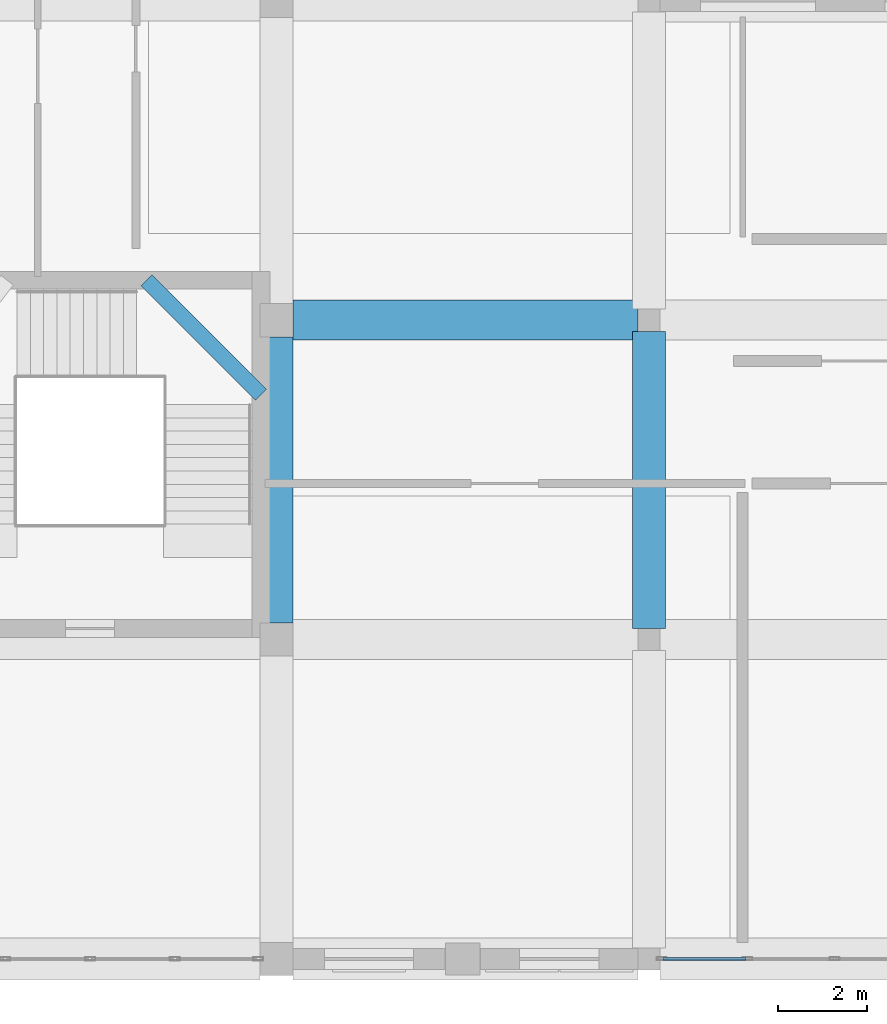
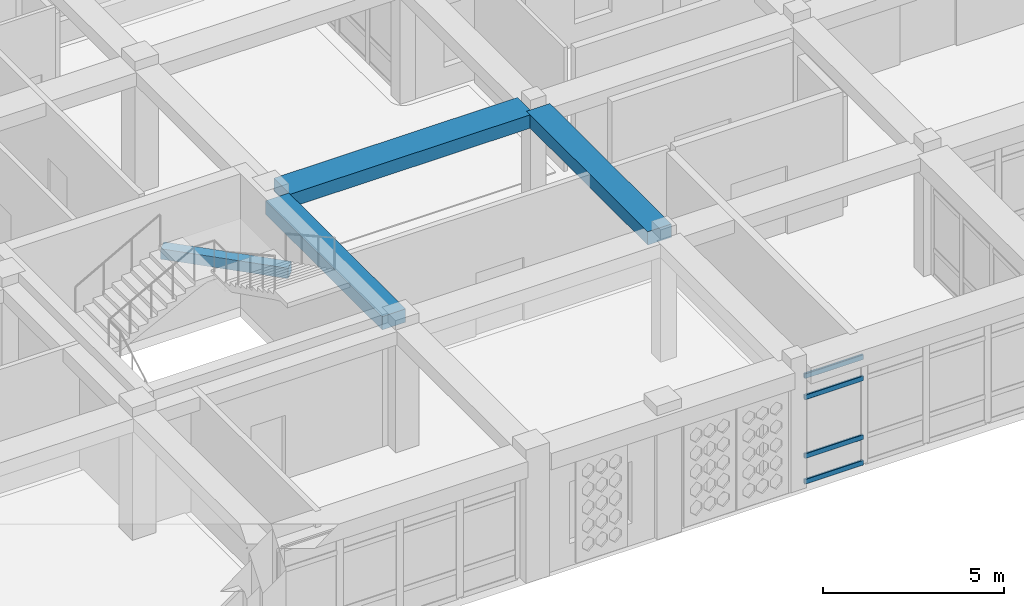
# One storey, part 54 of 121: 4 beams, 4 members, 1 element without a shape of its own.
"""IFC4 building model written with IfcOpenShell, lengths in metres."""

from ifc_helpers import new_model, si_unit, derived_unit, direction, frame, origin, origin_2d, place, context, subcontext, project, spatial, rectangle, hollow_rectangle, extrude, material, material_profile, profile_set, type_object, element, aggregate, save


model = new_model("IFC4")

# Units and contexts
model_context = context("Model", 3, precision=1e-05, world=origin(), true_north=direction((0.0, 1.0)))
body_context = subcontext(model_context, "Body", "Model", "MODEL_VIEW")
ifc_project = project(units=[si_unit("LENGTHUNIT", "METRE"), si_unit("AREAUNIT", "SQUARE_METRE"), si_unit("VOLUMEUNIT", "CUBIC_METRE"), si_unit("PLANEANGLEUNIT", "RADIAN"), si_unit("MASSUNIT", "GRAM", prefix="KILO"), derived_unit("THERMALTRANSMITTANCEUNIT", [(si_unit("POWERUNIT", "WATT"), 1), (si_unit("LENGTHUNIT", "METRE"), -2), (si_unit("THERMODYNAMICTEMPERATUREUNIT", "KELVIN"), -1)])], contexts=[model_context])

# Site, building, storey
site_placement = place(None, origin())
site = spatial("IfcSite", under=ifc_project, at=site_placement, CompositionType="ELEMENT")
building_placement = place(site_placement, origin())
building = spatial("IfcBuilding", under=site, at=building_placement, Name="Veybourne Emporium", CompositionType="ELEMENT")
storey_placement = place(building_placement, frame((0.0, 0.0, 5.39990234375)))
storey = spatial("IfcBuildingStorey", under=building, at=storey_placement, Name="L01", CompositionType="ELEMENT", Elevation=5.39990234375)

# Curtain wall, members
ifc_material_1 = material(Name="Patinated Architectural Bronze", Category="bronze")
curtain_wall_type = type_object("IfcCurtainWallType", Name="CWSystem_CWS-28", PredefinedType="NOTDEFINED", material=ifc_material_1)
curtain_wall_placement = place(storey_placement, origin())
curtain_wall = element("IfcCurtainWall", 1, at=curtain_wall_placement, inside=storey, type_object=curtain_wall_type, Name="L01 bronze glazed curtain wall CWS-28 (072)", PredefinedType="NOTDEFINED")
ifc_material_profile_1 = material_profile(ifc_material_1, hollow_rectangle(XDim=0.070068359375, YDim=0.169921875, WallThickness=0.0048828125, InnerFilletRadius=0.007568359375, OuterFilletRadius=0.012451171875, at=origin_2d()), Name="CWT 70x170x5")
ifc_profile_set_1 = profile_set([ifc_material_profile_1], Name="Patinated Architectural Bronze")
member_type = type_object("IfcMemberType", Name="CWTransom_CW-T4", PredefinedType="NOTDEFINED", material=ifc_profile_set_1)
member_1_placement = place(storey_placement, frame((144.983642578125, 0.0, 0.03515625), z_axis=(-1.0, 0.0, 0.0), x_axis=(0.0, -1.0, 0.0)))
member_1 = element("IfcMember", 2, at=member_1_placement, type_object=member_type, Name="CWS-28 transom 4.1", ObjectType="TRANSOM", PredefinedType="USERDEFINED", context=body_context, shape_type="SweptSolid", body=[
    extrude(hollow_rectangle(XDim=0.070068359375, YDim=0.169921875, WallThickness=0.0048828125, InnerFilletRadius=0.007568359375, OuterFilletRadius=0.012451171875, at=origin_2d()), origin(), (0.0, 0.0, 1.0), 1.863525390625),
])
member_2_placement = place(storey_placement, frame((144.983642578125, 0.0, 0.900146484375), z_axis=(-1.0, 0.0, 0.0), x_axis=(0.0, -1.0, 0.0)))
member_2 = element("IfcMember", 3, at=member_2_placement, type_object=member_type, Name="CWS-28 transom 4.2", ObjectType="TRANSOM", PredefinedType="USERDEFINED", context=body_context, shape_type="SweptSolid", body=[
    extrude(hollow_rectangle(XDim=0.070068359375, YDim=0.169921875, WallThickness=0.0048828125, InnerFilletRadius=0.007568359375, OuterFilletRadius=0.012451171875, at=origin_2d()), origin(), (0.0, 0.0, 1.0), 1.863525390625),
])
member_3_placement = place(storey_placement, frame((144.983642578125, 0.0, 2.880126953125), z_axis=(-1.0, 0.0, 0.0), x_axis=(0.0, -1.0, 0.0)))
member_3 = element("IfcMember", 4, at=member_3_placement, type_object=member_type, Name="CWS-28 transom 4.3", ObjectType="TRANSOM", PredefinedType="USERDEFINED", context=body_context, shape_type="SweptSolid", body=[
    extrude(hollow_rectangle(XDim=0.070068359375, YDim=0.169921875, WallThickness=0.0048828125, InnerFilletRadius=0.007568359375, OuterFilletRadius=0.012451171875, at=origin_2d()), origin(), (0.0, 0.0, 1.0), 1.863525390625),
])
member_4_placement = place(storey_placement, frame((144.983642578125, 0.0, 3.59521484375), z_axis=(-1.0, 0.0, 0.0), x_axis=(0.0, -1.0, 0.0)))
member_4 = element("IfcMember", 5, at=member_4_placement, type_object=member_type, Name="CWS-28 transom 4.4", ObjectType="TRANSOM", PredefinedType="USERDEFINED", context=body_context, shape_type="SweptSolid", body=[
    extrude(hollow_rectangle(XDim=0.070068359375, YDim=0.169921875, WallThickness=0.0048828125, InnerFilletRadius=0.007568359375, OuterFilletRadius=0.012451171875, at=origin_2d()), origin(), (0.0, 0.0, 1.0), 1.863525390625),
])
aggregate(curtain_wall, [member_1, member_2, member_3, member_4])

# Beams
ifc_material_2 = material(Name="Concrete C32/40", Category="concrete")
ifc_material_profile_2 = material_profile(ifc_material_2, rectangle(XDim=0.35009765625, YDim=0.35009765625, at=origin_2d()), Name="RC 350x350")
ifc_profile_set_2 = profile_set([ifc_material_profile_2], Name="Concrete C32/40")
beam_type_1 = type_object("IfcBeamType", Name="LandingBeam_LB-01", PredefinedType="BEAM", material=ifc_profile_set_2)
beam_1_placement = place(storey_placement, frame((131.469970703125, 15.300048828125, 2.625), z_axis=(0.707106781187, -0.707106781187, 0.0), x_axis=(0.707106781187, 0.707106781187, 0.0)))
element("IfcBeam", 6, at=beam_1_placement, inside=storey, type_object=beam_type_1, Name="L01 ST-06 landing 2 support beam", PredefinedType="BEAM", context=body_context, shape_type="SweptSolid", body=[
    extrude(rectangle(XDim=0.35009765625, YDim=0.35009765625, at=origin_2d()), origin(), (0.0, 0.0, 1.0), 3.648681640625),
])
ifc_material_profile_3 = material_profile(ifc_material_2, rectangle(XDim=0.89990234375, YDim=0.449951171875, at=origin_2d()), Name="RC 900x450")
ifc_profile_set_3 = profile_set([ifc_material_profile_3], Name="Concrete C32/40")
beam_type_2 = type_object("IfcBeamType", Name="RCBeam_BB-03", PredefinedType="BEAM", material=ifc_profile_set_3)
beam_2_placement = place(storey_placement, frame((134.77490234375, 14.39990234375, 3.955078125), z_axis=(1.0, 0.0, 0.0), x_axis=(0.0, 1.0, 0.0)))
element("IfcBeam", 7, at=beam_2_placement, inside=storey, type_object=beam_type_2, Name="L01 X-grid beam BB-03 (16,2)", PredefinedType="BEAM", context=body_context, shape_type="SweptSolid", body=[
    extrude(rectangle(XDim=0.89990234375, YDim=0.449951171875, at=origin_2d()), origin(), (0.0, 0.0, 1.0), 7.775146484375),
])
ifc_material_profile_4 = material_profile(ifc_material_2, rectangle(XDim=0.75, YDim=0.449951171875, at=origin_2d()), Name="RC 750x450")
ifc_profile_set_4 = profile_set([ifc_material_profile_4], Name="Concrete C32/40")
beam_type_3 = type_object("IfcBeamType", Name="RCBeam_BB-04", PredefinedType="BEAM", material=ifc_profile_set_4)
beam_3_placement = place(storey_placement, frame((134.39990234375, 7.574951171875, 3.955078125), z_axis=(0.0, 1.0, 0.0), x_axis=(-1.0, 0.0, 0.0)))
element("IfcBeam", 8, at=beam_3_placement, inside=storey, type_object=beam_type_3, Name="L01 Y-grid beam BB-04 (16,1)", PredefinedType="BEAM", context=body_context, shape_type="SweptSolid", body=[
    extrude(rectangle(XDim=0.75, YDim=0.449951171875, at=origin_2d()), origin(), (0.0, 0.0, 1.0), 6.449951171875),
])
beam_4_placement = place(storey_placement, frame((142.800048828125, 7.449951171875, 3.955078125), z_axis=(0.0, 1.0, 0.0), x_axis=(-1.0, 0.0, 0.0)))
element("IfcBeam", 9, at=beam_4_placement, inside=storey, type_object=beam_type_3, Name="L01 Y-grid beam BB-04 (17,1)", PredefinedType="BEAM", context=body_context, shape_type="SweptSolid", body=[
    extrude(rectangle(XDim=0.75, YDim=0.449951171875, at=origin_2d()), origin(), (0.0, 0.0, 1.0), 6.699951171875),
])

save(model, "model.ifc")
